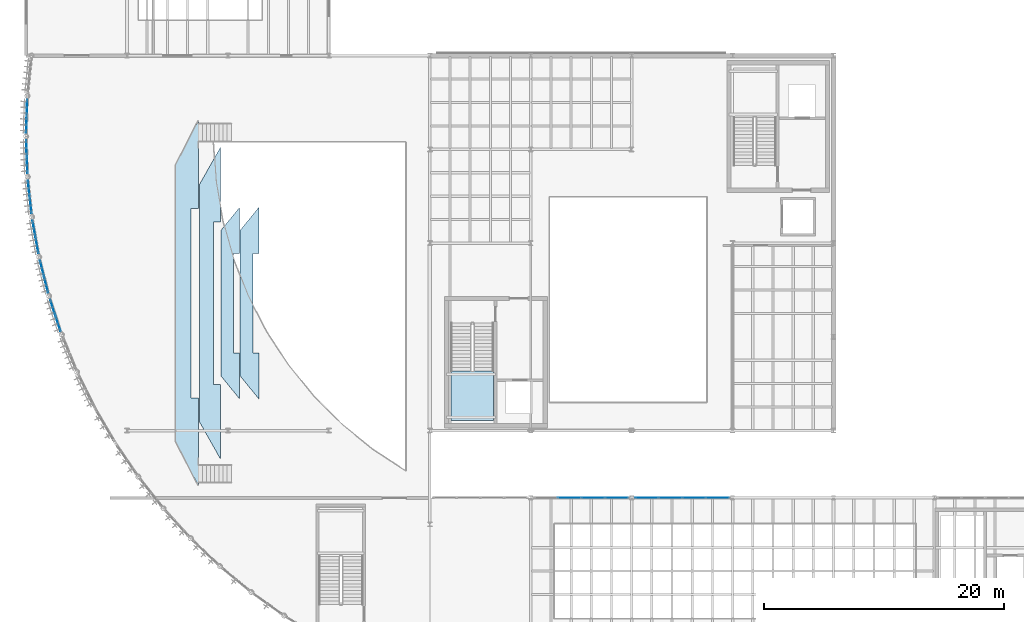
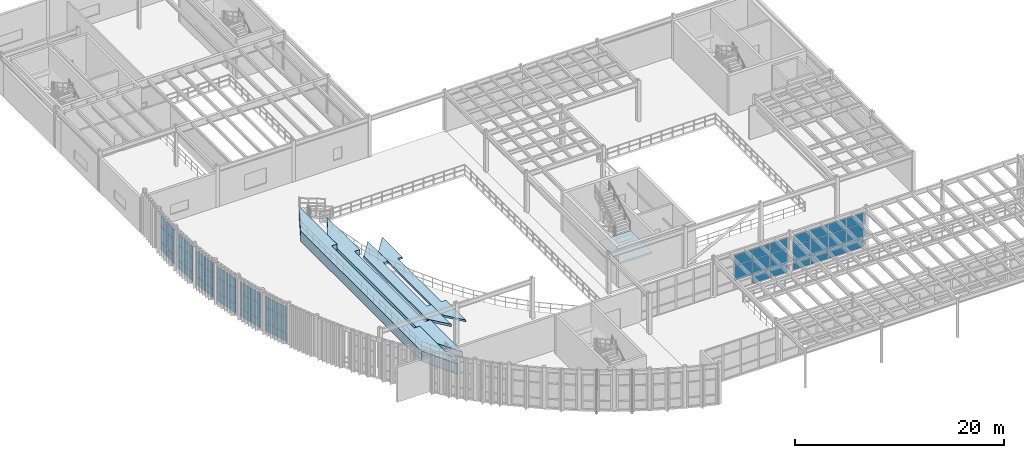
# One storey, part 74 of 105: 56 plates, 5 slabs, 9 elements without a shape of their own.
"""IFC4 building model written with IfcOpenShell, lengths in metres."""

from ifc_helpers import new_model, si_unit, direction, frame, origin, origin_2d, place, context, subcontext, project, spatial, polyline, rectangle, outline, extrude, material, layer, layer_set, type_object, element, aggregate, save


model = new_model("IFC4")

# Units and contexts
model_context = context("Model", 3, precision=1e-05, world=origin(), true_north=direction((0.0, 1.0)))
body_context = subcontext(model_context, "Body", "Model", "MODEL_VIEW")
ifc_project = project(units=[si_unit("LENGTHUNIT", "METRE"), si_unit("AREAUNIT", "SQUARE_METRE"), si_unit("VOLUMEUNIT", "CUBIC_METRE"), si_unit("PLANEANGLEUNIT", "RADIAN"), si_unit("MASSUNIT", "GRAM", prefix="KILO")], contexts=[model_context])

# Site, building, storey
site_placement = place(None, origin())
site = spatial("IfcSite", under=ifc_project, at=site_placement, CompositionType="ELEMENT")
building_placement = place(site_placement, origin())
building = spatial("IfcBuilding", under=site, at=building_placement, Name="Selat Folded Stagehouse", CompositionType="ELEMENT")
storey_placement = place(building_placement, frame((0.0, 0.0, 10.199951171875)))
storey = spatial("IfcBuildingStorey", under=building, at=storey_placement, Name="L02", CompositionType="ELEMENT", Elevation=10.199951171875)

# Curtain wall, plates
ifc_material_1 = material(Name="Aluminium 6063-T6", Category="aluminium")
ifc_layer_1 = layer(ifc_material_1, 0.195068359375)
ifc_layer_set_1 = layer_set([ifc_layer_1], Name="Aluminium 6063-T6")
curtain_wall_type_1 = type_object("IfcCurtainWallType", Name="CW-FYR-COURT", PredefinedType="NOTDEFINED", material=ifc_layer_set_1)
curtain_wall_1_placement = place(storey_placement, origin())
curtain_wall_1 = element("IfcCurtainWall", 1, at=curtain_wall_1_placement, inside=storey, type_object=curtain_wall_type_1, Name="L02 curtain wall CW-FYR-L02-08", PredefinedType="NOTDEFINED")
ifc_material_2 = material(Name="Clear laminated double glazing", Category="glass")
ifc_layer_2 = layer(ifc_material_2, 0.028076171875)
ifc_layer_set_2 = layer_set([ifc_layer_2], Name="Clear laminated double glazing")
plate_type_1 = type_object("IfcPlateType", Name="CWP-GLZ-DGU28", PredefinedType="CURTAIN_PANEL", material=ifc_layer_set_2)
plate_1_placement = place(storey_placement, frame((45.21240234375, 17.800048828125, 1.08251953125), z_axis=(0.0, 0.0, 1.0), x_axis=(1.0, 0.0, 0.0)))
plate_1 = element("IfcPlate", 2, at=plate_1_placement, type_object=plate_type_1, Name="CW-05 panel 2.2", PredefinedType="CURTAIN_PANEL", context=body_context, shape_type="SweptSolid", body=[
    extrude(rectangle(XDim=1.909912109375, YDim=0.028076171875, at=origin_2d()), origin(), (0.0, 0.0, 1.0), 1.735107421875),
])
plate_2_placement = place(storey_placement, frame((45.21240234375, 17.800048828125, 2.88232421875), z_axis=(0.0, 0.0, 1.0), x_axis=(1.0, 0.0, 0.0)))
plate_2 = element("IfcPlate", 3, at=plate_2_placement, type_object=plate_type_1, Name="CW-05 panel 2.3", PredefinedType="CURTAIN_PANEL", context=body_context, shape_type="SweptSolid", body=[
    extrude(rectangle(XDim=1.909912109375, YDim=0.028076171875, at=origin_2d()), origin(), (0.0, 0.0, 1.0), 1.172607421875),
])
plate_3_placement = place(storey_placement, frame((47.1875, 17.800048828125, 0.06494140625), z_axis=(0.0, 0.0, 1.0), x_axis=(1.0, 0.0, 0.0)))
plate_3 = element("IfcPlate", 4, at=plate_3_placement, type_object=plate_type_1, Name="CW-05 panel 3.1", PredefinedType="CURTAIN_PANEL", context=body_context, shape_type="SweptSolid", body=[
    extrude(rectangle(XDim=1.909912109375, YDim=0.028076171875, at=origin_2d()), origin(), (0.0, 0.0, 1.0), 0.952392578125),
])
plate_4_placement = place(storey_placement, frame((47.1875, 17.800048828125, 1.08251953125), z_axis=(0.0, 0.0, 1.0), x_axis=(1.0, 0.0, 0.0)))
plate_4 = element("IfcPlate", 5, at=plate_4_placement, type_object=plate_type_1, Name="CW-05 panel 3.2", PredefinedType="CURTAIN_PANEL", context=body_context, shape_type="SweptSolid", body=[
    extrude(rectangle(XDim=1.909912109375, YDim=0.028076171875, at=origin_2d()), origin(), (0.0, 0.0, 1.0), 1.735107421875),
])
plate_5_placement = place(storey_placement, frame((47.1875, 17.800048828125, 2.88232421875), z_axis=(0.0, 0.0, 1.0), x_axis=(1.0, 0.0, 0.0)))
plate_5 = element("IfcPlate", 6, at=plate_5_placement, type_object=plate_type_1, Name="CW-05 panel 3.3", PredefinedType="CURTAIN_PANEL", context=body_context, shape_type="SweptSolid", body=[
    extrude(rectangle(XDim=1.909912109375, YDim=0.028076171875, at=origin_2d()), origin(), (0.0, 0.0, 1.0), 1.172607421875),
])
plate_6_placement = place(storey_placement, frame((49.146240234375, 17.800048828125, 0.06494140625), z_axis=(0.0, 0.0, 1.0), x_axis=(1.0, 0.0, 0.0)))
plate_6 = element("IfcPlate", 7, at=plate_6_placement, type_object=plate_type_1, Name="CW-05 panel 4.1", PredefinedType="CURTAIN_PANEL", context=body_context, shape_type="SweptSolid", body=[
    extrude(rectangle(XDim=1.87744140625, YDim=0.028076171875, at=origin_2d()), origin(), (0.0, 0.0, 1.0), 0.952392578125),
])
plate_7_placement = place(storey_placement, frame((49.146240234375, 17.800048828125, 1.08251953125), z_axis=(0.0, 0.0, 1.0), x_axis=(1.0, 0.0, 0.0)))
plate_7 = element("IfcPlate", 8, at=plate_7_placement, type_object=plate_type_1, Name="CW-05 panel 4.2", PredefinedType="CURTAIN_PANEL", context=body_context, shape_type="SweptSolid", body=[
    extrude(rectangle(XDim=1.87744140625, YDim=0.028076171875, at=origin_2d()), origin(), (0.0, 0.0, 1.0), 1.735107421875),
])
plate_8_placement = place(storey_placement, frame((49.146240234375, 17.800048828125, 2.88232421875), z_axis=(0.0, 0.0, 1.0), x_axis=(1.0, 0.0, 0.0)))
plate_8 = element("IfcPlate", 9, at=plate_8_placement, type_object=plate_type_1, Name="CW-05 panel 4.3", PredefinedType="CURTAIN_PANEL", context=body_context, shape_type="SweptSolid", body=[
    extrude(rectangle(XDim=1.87744140625, YDim=0.028076171875, at=origin_2d()), origin(), (0.0, 0.0, 1.0), 1.172607421875),
])
aggregate(curtain_wall_1, [plate_1, plate_2, plate_3, plate_4, plate_5, plate_6, plate_7, plate_8])

curtain_wall_2_placement = place(storey_placement, origin())
curtain_wall_2 = element("IfcCurtainWall", 10, at=curtain_wall_2_placement, inside=storey, type_object=curtain_wall_type_1, Name="L02 curtain wall CW-FYR-L02-09", PredefinedType="NOTDEFINED")
plate_9_placement = place(storey_placement, frame((51.65380859375, 17.800048828125, 0.06494140625), z_axis=(0.0, 0.0, 1.0), x_axis=(1.0, 0.0, 0.0)))
plate_9 = element("IfcPlate", 11, at=plate_9_placement, type_object=plate_type_1, Name="CW-05 panel 1.1", PredefinedType="CURTAIN_PANEL", context=body_context, shape_type="SweptSolid", body=[
    extrude(rectangle(XDim=1.87744140625, YDim=0.028076171875, at=origin_2d()), origin(), (0.0, 0.0, 1.0), 0.952392578125),
])
plate_10_placement = place(storey_placement, frame((51.65380859375, 17.800048828125, 1.08251953125), z_axis=(0.0, 0.0, 1.0), x_axis=(1.0, 0.0, 0.0)))
plate_10 = element("IfcPlate", 12, at=plate_10_placement, type_object=plate_type_1, Name="CW-05 panel 1.2", PredefinedType="CURTAIN_PANEL", context=body_context, shape_type="SweptSolid", body=[
    extrude(rectangle(XDim=1.87744140625, YDim=0.028076171875, at=origin_2d()), origin(), (0.0, 0.0, 1.0), 1.735107421875),
])
plate_11_placement = place(storey_placement, frame((51.65380859375, 17.800048828125, 2.88232421875), z_axis=(0.0, 0.0, 1.0), x_axis=(1.0, 0.0, 0.0)))
plate_11 = element("IfcPlate", 13, at=plate_11_placement, type_object=plate_type_1, Name="CW-05 panel 1.3", PredefinedType="CURTAIN_PANEL", context=body_context, shape_type="SweptSolid", body=[
    extrude(rectangle(XDim=1.87744140625, YDim=0.028076171875, at=origin_2d()), origin(), (0.0, 0.0, 1.0), 1.172607421875),
])
plate_12_placement = place(storey_placement, frame((53.612548828125, 17.800048828125, 0.06494140625), z_axis=(0.0, 0.0, 1.0), x_axis=(1.0, 0.0, 0.0)))
plate_12 = element("IfcPlate", 14, at=plate_12_placement, type_object=plate_type_1, Name="CW-05 panel 2.1", PredefinedType="CURTAIN_PANEL", context=body_context, shape_type="SweptSolid", body=[
    extrude(rectangle(XDim=1.909912109375, YDim=0.028076171875, at=origin_2d()), origin(), (0.0, 0.0, 1.0), 0.952392578125),
])
plate_13_placement = place(storey_placement, frame((53.612548828125, 17.800048828125, 1.08251953125), z_axis=(0.0, 0.0, 1.0), x_axis=(1.0, 0.0, 0.0)))
plate_13 = element("IfcPlate", 15, at=plate_13_placement, type_object=plate_type_1, Name="CW-05 panel 2.2", PredefinedType="CURTAIN_PANEL", context=body_context, shape_type="SweptSolid", body=[
    extrude(rectangle(XDim=1.909912109375, YDim=0.028076171875, at=origin_2d()), origin(), (0.0, 0.0, 1.0), 1.735107421875),
])
plate_14_placement = place(storey_placement, frame((53.612548828125, 17.800048828125, 2.88232421875), z_axis=(0.0, 0.0, 1.0), x_axis=(1.0, 0.0, 0.0)))
plate_14 = element("IfcPlate", 16, at=plate_14_placement, type_object=plate_type_1, Name="CW-05 panel 2.3", PredefinedType="CURTAIN_PANEL", context=body_context, shape_type="SweptSolid", body=[
    extrude(rectangle(XDim=1.909912109375, YDim=0.028076171875, at=origin_2d()), origin(), (0.0, 0.0, 1.0), 1.172607421875),
])
plate_15_placement = place(storey_placement, frame((55.58740234375, 17.800048828125, 0.06494140625), z_axis=(0.0, 0.0, 1.0), x_axis=(1.0, 0.0, 0.0)))
plate_15 = element("IfcPlate", 17, at=plate_15_placement, type_object=plate_type_1, Name="CW-05 panel 3.1", PredefinedType="CURTAIN_PANEL", context=body_context, shape_type="SweptSolid", body=[
    extrude(rectangle(XDim=1.909912109375, YDim=0.028076171875, at=origin_2d()), origin(), (0.0, 0.0, 1.0), 0.952392578125),
])
plate_16_placement = place(storey_placement, frame((55.58740234375, 17.800048828125, 1.08251953125), z_axis=(0.0, 0.0, 1.0), x_axis=(1.0, 0.0, 0.0)))
plate_16 = element("IfcPlate", 18, at=plate_16_placement, type_object=plate_type_1, Name="CW-05 panel 3.2", PredefinedType="CURTAIN_PANEL", context=body_context, shape_type="SweptSolid", body=[
    extrude(rectangle(XDim=1.909912109375, YDim=0.028076171875, at=origin_2d()), origin(), (0.0, 0.0, 1.0), 1.735107421875),
])
plate_17_placement = place(storey_placement, frame((55.58740234375, 17.800048828125, 2.88232421875), z_axis=(0.0, 0.0, 1.0), x_axis=(1.0, 0.0, 0.0)))
plate_17 = element("IfcPlate", 19, at=plate_17_placement, type_object=plate_type_1, Name="CW-05 panel 3.3", PredefinedType="CURTAIN_PANEL", context=body_context, shape_type="SweptSolid", body=[
    extrude(rectangle(XDim=1.909912109375, YDim=0.028076171875, at=origin_2d()), origin(), (0.0, 0.0, 1.0), 1.172607421875),
])
plate_18_placement = place(storey_placement, frame((57.546142578125, 17.800048828125, 0.06494140625), z_axis=(0.0, 0.0, 1.0), x_axis=(1.0, 0.0, 0.0)))
plate_18 = element("IfcPlate", 20, at=plate_18_placement, type_object=plate_type_1, Name="CW-05 panel 4.1", PredefinedType="CURTAIN_PANEL", context=body_context, shape_type="SweptSolid", body=[
    extrude(rectangle(XDim=1.87744140625, YDim=0.028076171875, at=origin_2d()), origin(), (0.0, 0.0, 1.0), 0.952392578125),
])
plate_19_placement = place(storey_placement, frame((57.546142578125, 17.800048828125, 1.08251953125), z_axis=(0.0, 0.0, 1.0), x_axis=(1.0, 0.0, 0.0)))
plate_19 = element("IfcPlate", 21, at=plate_19_placement, type_object=plate_type_1, Name="CW-05 panel 4.2", PredefinedType="CURTAIN_PANEL", context=body_context, shape_type="SweptSolid", body=[
    extrude(rectangle(XDim=1.87744140625, YDim=0.028076171875, at=origin_2d()), origin(), (0.0, 0.0, 1.0), 1.735107421875),
])
plate_20_placement = place(storey_placement, frame((57.546142578125, 17.800048828125, 2.88232421875), z_axis=(0.0, 0.0, 1.0), x_axis=(1.0, 0.0, 0.0)))
plate_20 = element("IfcPlate", 22, at=plate_20_placement, type_object=plate_type_1, Name="CW-05 panel 4.3", PredefinedType="CURTAIN_PANEL", context=body_context, shape_type="SweptSolid", body=[
    extrude(rectangle(XDim=1.87744140625, YDim=0.028076171875, at=origin_2d()), origin(), (0.0, 0.0, 1.0), 1.172607421875),
])
aggregate(curtain_wall_2, [plate_9, plate_10, plate_11, plate_12, plate_13, plate_14, plate_15, plate_16, plate_17, plate_18, plate_19, plate_20])

ifc_layer_3 = layer(ifc_material_1, 0.199951171875)
ifc_layer_set_3 = layer_set([ifc_layer_3], Name="Aluminium 6063-T6")
curtain_wall_type_2 = type_object("IfcCurtainWallType", Name="CW-DRM-MID", PredefinedType="NOTDEFINED", material=ifc_layer_set_3)
curtain_wall_3_placement = place(storey_placement, origin())
curtain_wall_3 = element("IfcCurtainWall", 23, at=curtain_wall_3_placement, inside=storey, type_object=curtain_wall_type_2, Name="L02 curtain wall CW-DRM-L02-01", PredefinedType="NOTDEFINED")
ifc_material_3 = material(Name="Laminated low-E double glazing", Category="glass")
ifc_layer_4 = layer(ifc_material_3, 0.031982421875)
ifc_layer_set_4 = layer_set([ifc_layer_4], Name="Laminated low-E double glazing")
plate_type_2 = type_object("IfcPlateType", Name="CWP-GLZ-DGU32", PredefinedType="CURTAIN_PANEL", material=ifc_layer_set_4)
plate_21_placement = place(storey_placement, frame((0.0322265625, 48.864501953125, 0.06494140625), z_axis=(0.0, 0.0, 1.0), x_axis=(0.032625434862, 0.999467648801, 0.0)))
plate_21 = element("IfcPlate", 24, at=plate_21_placement, type_object=plate_type_2, Name="CW-02 panel 1.1", PredefinedType="CURTAIN_PANEL", context=body_context, shape_type="SweptSolid", body=[
    extrude(rectangle(XDim=1.3369140625, YDim=0.031982421875, at=origin_2d()), origin(), (0.0, 0.0, 1.0), 0.952392578125),
])
plate_22_placement = place(storey_placement, frame((0.0322265625, 48.864501953125, 1.08251953125), z_axis=(0.0, 0.0, 1.0), x_axis=(0.032625434862, 0.999467648801, 0.0)))
plate_22 = element("IfcPlate", 25, at=plate_22_placement, type_object=plate_type_2, Name="CW-02 panel 1.2", PredefinedType="CURTAIN_PANEL", context=body_context, shape_type="SweptSolid", body=[
    extrude(rectangle(XDim=1.3369140625, YDim=0.031982421875, at=origin_2d()), origin(), (0.0, 0.0, 1.0), 1.735107421875),
])
plate_23_placement = place(storey_placement, frame((0.0322265625, 48.864501953125, 2.882568359375), z_axis=(0.0, 0.0, 1.0), x_axis=(0.032625434862, 0.999467648801, 0.0)))
plate_23 = element("IfcPlate", 26, at=plate_23_placement, type_object=plate_type_2, Name="CW-02 panel 1.3", PredefinedType="CURTAIN_PANEL", context=body_context, shape_type="SweptSolid", body=[
    extrude(rectangle(XDim=1.3369140625, YDim=0.031982421875, at=origin_2d()), origin(), (0.0, 0.0, 1.0), 1.21240234375),
])
plate_24_placement = place(storey_placement, frame((0.077880859375, 50.265869140625, 0.06494140625), z_axis=(0.0, 0.0, 1.0), x_axis=(0.032625434862, 0.999467648801, 0.0)))
plate_24 = element("IfcPlate", 27, at=plate_24_placement, type_object=plate_type_2, Name="CW-02 panel 2.1", PredefinedType="CURTAIN_PANEL", context=body_context, shape_type="SweptSolid", body=[
    extrude(rectangle(XDim=1.3369140625, YDim=0.031982421875, at=origin_2d()), origin(), (0.0, 0.0, 1.0), 0.952392578125),
])
plate_25_placement = place(storey_placement, frame((0.077880859375, 50.265869140625, 1.08251953125), z_axis=(0.0, 0.0, 1.0), x_axis=(0.032625434862, 0.999467648801, 0.0)))
plate_25 = element("IfcPlate", 28, at=plate_25_placement, type_object=plate_type_2, Name="CW-02 panel 2.2", PredefinedType="CURTAIN_PANEL", context=body_context, shape_type="SweptSolid", body=[
    extrude(rectangle(XDim=1.3369140625, YDim=0.031982421875, at=origin_2d()), origin(), (0.0, 0.0, 1.0), 1.735107421875),
])
plate_26_placement = place(storey_placement, frame((0.077880859375, 50.265869140625, 2.882568359375), z_axis=(0.0, 0.0, 1.0), x_axis=(0.032625434862, 0.999467648801, 0.0)))
plate_26 = element("IfcPlate", 29, at=plate_26_placement, type_object=plate_type_2, Name="CW-02 panel 2.3", PredefinedType="CURTAIN_PANEL", context=body_context, shape_type="SweptSolid", body=[
    extrude(rectangle(XDim=1.3369140625, YDim=0.031982421875, at=origin_2d()), origin(), (0.0, 0.0, 1.0), 1.21240234375),
])
aggregate(curtain_wall_3, [plate_21, plate_22, plate_23, plate_24, plate_25, plate_26])

curtain_wall_4_placement = place(storey_placement, origin())
curtain_wall_4 = element("IfcCurtainWall", 30, at=curtain_wall_4_placement, inside=storey, type_object=curtain_wall_type_2, Name="L02 curtain wall CW-DRM-L02-02", PredefinedType="NOTDEFINED")
plate_27_placement = place(storey_placement, frame((0.08984375, 45.497802734375, 0.06494140625), z_axis=(0.0, 0.0, 1.0), x_axis=(-0.037573727908, 0.999293858167, 0.0)))
plate_27 = element("IfcPlate", 31, at=plate_27_placement, type_object=plate_type_2, Name="CW-02 panel 1.1", PredefinedType="CURTAIN_PANEL", context=body_context, shape_type="SweptSolid", body=[
    extrude(rectangle(XDim=1.3369140625, YDim=0.031982421875, at=origin_2d()), origin(), (0.0, 0.0, 1.0), 0.952392578125),
])
plate_28_placement = place(storey_placement, frame((0.08984375, 45.497802734375, 1.08251953125), z_axis=(0.0, 0.0, 1.0), x_axis=(-0.037573727908, 0.999293858167, 0.0)))
plate_28 = element("IfcPlate", 32, at=plate_28_placement, type_object=plate_type_2, Name="CW-02 panel 1.2", PredefinedType="CURTAIN_PANEL", context=body_context, shape_type="SweptSolid", body=[
    extrude(rectangle(XDim=1.3369140625, YDim=0.031982421875, at=origin_2d()), origin(), (0.0, 0.0, 1.0), 1.735107421875),
])
plate_29_placement = place(storey_placement, frame((0.08984375, 45.497802734375, 2.882568359375), z_axis=(0.0, 0.0, 1.0), x_axis=(-0.037573727908, 0.999293858167, 0.0)))
plate_29 = element("IfcPlate", 33, at=plate_29_placement, type_object=plate_type_2, Name="CW-02 panel 1.3", PredefinedType="CURTAIN_PANEL", context=body_context, shape_type="SweptSolid", body=[
    extrude(rectangle(XDim=1.3369140625, YDim=0.031982421875, at=origin_2d()), origin(), (0.0, 0.0, 1.0), 1.21240234375),
])
plate_30_placement = place(storey_placement, frame((0.037109375, 46.89892578125, 0.06494140625), z_axis=(0.0, 0.0, 1.0), x_axis=(-0.037573727908, 0.999293858167, 0.0)))
plate_30 = element("IfcPlate", 34, at=plate_30_placement, type_object=plate_type_2, Name="CW-02 panel 2.1", PredefinedType="CURTAIN_PANEL", context=body_context, shape_type="SweptSolid", body=[
    extrude(rectangle(XDim=1.3369140625, YDim=0.031982421875, at=origin_2d()), origin(), (0.0, 0.0, 1.0), 0.952392578125),
])
plate_31_placement = place(storey_placement, frame((0.037109375, 46.89892578125, 1.08251953125), z_axis=(0.0, 0.0, 1.0), x_axis=(-0.037573727908, 0.999293858167, 0.0)))
plate_31 = element("IfcPlate", 35, at=plate_31_placement, type_object=plate_type_2, Name="CW-02 panel 2.2", PredefinedType="CURTAIN_PANEL", context=body_context, shape_type="SweptSolid", body=[
    extrude(rectangle(XDim=1.3369140625, YDim=0.031982421875, at=origin_2d()), origin(), (0.0, 0.0, 1.0), 1.735107421875),
])
plate_32_placement = place(storey_placement, frame((0.037109375, 46.89892578125, 2.882568359375), z_axis=(0.0, 0.0, 1.0), x_axis=(-0.037573727908, 0.999293858167, 0.0)))
plate_32 = element("IfcPlate", 36, at=plate_32_placement, type_object=plate_type_2, Name="CW-02 panel 2.3", PredefinedType="CURTAIN_PANEL", context=body_context, shape_type="SweptSolid", body=[
    extrude(rectangle(XDim=1.3369140625, YDim=0.031982421875, at=origin_2d()), origin(), (0.0, 0.0, 1.0), 1.21240234375),
])
aggregate(curtain_wall_4, [plate_27, plate_28, plate_29, plate_30, plate_31, plate_32])

curtain_wall_5_placement = place(storey_placement, origin())
curtain_wall_5 = element("IfcCurtainWall", 37, at=curtain_wall_5_placement, inside=storey, type_object=curtain_wall_type_2, Name="L02 curtain wall CW-DRM-L02-03", PredefinedType="NOTDEFINED")
plate_33_placement = place(storey_placement, frame((0.38330078125, 42.143310546875, 0.06494140625), z_axis=(0.0, 0.0, 1.0), x_axis=(-0.107558193428, 0.994198790497, 0.0)))
plate_33 = element("IfcPlate", 38, at=plate_33_placement, type_object=plate_type_2, Name="CW-02 panel 1.1", PredefinedType="CURTAIN_PANEL", context=body_context, shape_type="SweptSolid", body=[
    extrude(rectangle(XDim=1.337158203125, YDim=0.031982421875, at=origin_2d()), origin(), (0.0, 0.0, 1.0), 0.952392578125),
])
plate_34_placement = place(storey_placement, frame((0.38330078125, 42.143310546875, 1.08251953125), z_axis=(0.0, 0.0, 1.0), x_axis=(-0.107558193428, 0.994198790497, 0.0)))
plate_34 = element("IfcPlate", 39, at=plate_34_placement, type_object=plate_type_2, Name="CW-02 panel 1.2", PredefinedType="CURTAIN_PANEL", context=body_context, shape_type="SweptSolid", body=[
    extrude(rectangle(XDim=1.337158203125, YDim=0.031982421875, at=origin_2d()), origin(), (0.0, 0.0, 1.0), 1.735107421875),
])
plate_35_placement = place(storey_placement, frame((0.38330078125, 42.143310546875, 2.882568359375), z_axis=(0.0, 0.0, 1.0), x_axis=(-0.107558193428, 0.994198790497, 0.0)))
plate_35 = element("IfcPlate", 40, at=plate_35_placement, type_object=plate_type_2, Name="CW-02 panel 1.3", PredefinedType="CURTAIN_PANEL", context=body_context, shape_type="SweptSolid", body=[
    extrude(rectangle(XDim=1.337158203125, YDim=0.031982421875, at=origin_2d()), origin(), (0.0, 0.0, 1.0), 1.21240234375),
])
plate_36_placement = place(storey_placement, frame((0.232421875, 43.537109375, 0.06494140625), z_axis=(0.0, 0.0, 1.0), x_axis=(-0.107558193428, 0.994198790497, 0.0)))
plate_36 = element("IfcPlate", 41, at=plate_36_placement, type_object=plate_type_2, Name="CW-02 panel 2.1", PredefinedType="CURTAIN_PANEL", context=body_context, shape_type="SweptSolid", body=[
    extrude(rectangle(XDim=1.337158203125, YDim=0.031982421875, at=origin_2d()), origin(), (0.0, 0.0, 1.0), 0.952392578125),
])
plate_37_placement = place(storey_placement, frame((0.232421875, 43.537109375, 1.08251953125), z_axis=(0.0, 0.0, 1.0), x_axis=(-0.107558193428, 0.994198790497, 0.0)))
plate_37 = element("IfcPlate", 42, at=plate_37_placement, type_object=plate_type_2, Name="CW-02 panel 2.2", PredefinedType="CURTAIN_PANEL", context=body_context, shape_type="SweptSolid", body=[
    extrude(rectangle(XDim=1.337158203125, YDim=0.031982421875, at=origin_2d()), origin(), (0.0, 0.0, 1.0), 1.735107421875),
])
plate_38_placement = place(storey_placement, frame((0.232421875, 43.537109375, 2.882568359375), z_axis=(0.0, 0.0, 1.0), x_axis=(-0.107558193428, 0.994198790497, 0.0)))
plate_38 = element("IfcPlate", 43, at=plate_38_placement, type_object=plate_type_2, Name="CW-02 panel 2.3", PredefinedType="CURTAIN_PANEL", context=body_context, shape_type="SweptSolid", body=[
    extrude(rectangle(XDim=1.337158203125, YDim=0.031982421875, at=origin_2d()), origin(), (0.0, 0.0, 1.0), 1.21240234375),
])
aggregate(curtain_wall_5, [plate_33, plate_34, plate_35, plate_36, plate_37, plate_38])

curtain_wall_6_placement = place(storey_placement, origin())
curtain_wall_6 = element("IfcCurtainWall", 44, at=curtain_wall_6_placement, inside=storey, type_object=curtain_wall_type_2, Name="L02 curtain wall CW-DRM-L02-04", PredefinedType="NOTDEFINED")
plate_39_placement = place(storey_placement, frame((0.911376953125, 38.817626953125, 0.06494140625), z_axis=(0.0, 0.0, 1.0), x_axis=(-0.177001739435, 0.984210538572, 0.0)))
plate_39 = element("IfcPlate", 45, at=plate_39_placement, type_object=plate_type_2, Name="CW-02 panel 1.1", PredefinedType="CURTAIN_PANEL", context=body_context, shape_type="SweptSolid", body=[
    extrude(rectangle(XDim=1.3369140625, YDim=0.031982421875, at=origin_2d()), origin(), (0.0, 0.0, 1.0), 0.952392578125),
])
plate_40_placement = place(storey_placement, frame((0.911376953125, 38.817626953125, 1.08251953125), z_axis=(0.0, 0.0, 1.0), x_axis=(-0.177001739435, 0.984210538572, 0.0)))
plate_40 = element("IfcPlate", 46, at=plate_40_placement, type_object=plate_type_2, Name="CW-02 panel 1.2", PredefinedType="CURTAIN_PANEL", context=body_context, shape_type="SweptSolid", body=[
    extrude(rectangle(XDim=1.3369140625, YDim=0.031982421875, at=origin_2d()), origin(), (0.0, 0.0, 1.0), 1.735107421875),
])
plate_41_placement = place(storey_placement, frame((0.911376953125, 38.817626953125, 2.882568359375), z_axis=(0.0, 0.0, 1.0), x_axis=(-0.177001739435, 0.984210538572, 0.0)))
plate_41 = element("IfcPlate", 47, at=plate_41_placement, type_object=plate_type_2, Name="CW-02 panel 1.3", PredefinedType="CURTAIN_PANEL", context=body_context, shape_type="SweptSolid", body=[
    extrude(rectangle(XDim=1.3369140625, YDim=0.031982421875, at=origin_2d()), origin(), (0.0, 0.0, 1.0), 1.21240234375),
])
plate_42_placement = place(storey_placement, frame((0.663330078125, 40.197509765625, 0.06494140625), z_axis=(0.0, 0.0, 1.0), x_axis=(-0.177001739435, 0.984210538572, 0.0)))
plate_42 = element("IfcPlate", 48, at=plate_42_placement, type_object=plate_type_2, Name="CW-02 panel 2.1", PredefinedType="CURTAIN_PANEL", context=body_context, shape_type="SweptSolid", body=[
    extrude(rectangle(XDim=1.3369140625, YDim=0.031982421875, at=origin_2d()), origin(), (0.0, 0.0, 1.0), 0.952392578125),
])
plate_43_placement = place(storey_placement, frame((0.663330078125, 40.197509765625, 1.08251953125), z_axis=(0.0, 0.0, 1.0), x_axis=(-0.177001739435, 0.984210538572, 0.0)))
plate_43 = element("IfcPlate", 49, at=plate_43_placement, type_object=plate_type_2, Name="CW-02 panel 2.2", PredefinedType="CURTAIN_PANEL", context=body_context, shape_type="SweptSolid", body=[
    extrude(rectangle(XDim=1.3369140625, YDim=0.031982421875, at=origin_2d()), origin(), (0.0, 0.0, 1.0), 1.735107421875),
])
plate_44_placement = place(storey_placement, frame((0.663330078125, 40.197509765625, 2.882568359375), z_axis=(0.0, 0.0, 1.0), x_axis=(-0.177001739435, 0.984210538572, 0.0)))
plate_44 = element("IfcPlate", 50, at=plate_44_placement, type_object=plate_type_2, Name="CW-02 panel 2.3", PredefinedType="CURTAIN_PANEL", context=body_context, shape_type="SweptSolid", body=[
    extrude(rectangle(XDim=1.3369140625, YDim=0.031982421875, at=origin_2d()), origin(), (0.0, 0.0, 1.0), 1.21240234375),
])
aggregate(curtain_wall_6, [plate_39, plate_40, plate_41, plate_42, plate_43, plate_44])

curtain_wall_7_placement = place(storey_placement, origin())
curtain_wall_7 = element("IfcCurtainWall", 51, at=curtain_wall_7_placement, inside=storey, type_object=curtain_wall_type_2, Name="L02 curtain wall CW-DRM-L02-05", PredefinedType="NOTDEFINED")
plate_45_placement = place(storey_placement, frame((1.67138671875, 35.537353515625, 0.06494140625), z_axis=(0.0, 0.0, 1.0), x_axis=(-0.24561797686, 0.969366705351, 0.0)))
plate_45 = element("IfcPlate", 52, at=plate_45_placement, type_object=plate_type_2, Name="CW-02 panel 1.1", PredefinedType="CURTAIN_PANEL", context=body_context, shape_type="SweptSolid", body=[
    extrude(rectangle(XDim=1.337158203125, YDim=0.031982421875, at=origin_2d()), origin(), (0.0, 0.0, 1.0), 0.952392578125),
])
plate_46_placement = place(storey_placement, frame((1.67138671875, 35.537353515625, 1.08251953125), z_axis=(0.0, 0.0, 1.0), x_axis=(-0.24561797686, 0.969366705351, 0.0)))
plate_46 = element("IfcPlate", 53, at=plate_46_placement, type_object=plate_type_2, Name="CW-02 panel 1.2", PredefinedType="CURTAIN_PANEL", context=body_context, shape_type="SweptSolid", body=[
    extrude(rectangle(XDim=1.337158203125, YDim=0.031982421875, at=origin_2d()), origin(), (0.0, 0.0, 1.0), 1.735107421875),
])
plate_47_placement = place(storey_placement, frame((1.67138671875, 35.537353515625, 2.882568359375), z_axis=(0.0, 0.0, 1.0), x_axis=(-0.24561797686, 0.969366705351, 0.0)))
plate_47 = element("IfcPlate", 54, at=plate_47_placement, type_object=plate_type_2, Name="CW-02 panel 1.3", PredefinedType="CURTAIN_PANEL", context=body_context, shape_type="SweptSolid", body=[
    extrude(rectangle(XDim=1.337158203125, YDim=0.031982421875, at=origin_2d()), origin(), (0.0, 0.0, 1.0), 1.21240234375),
])
plate_48_placement = place(storey_placement, frame((1.3271484375, 36.896240234375, 0.06494140625), z_axis=(0.0, 0.0, 1.0), x_axis=(-0.24561797686, 0.969366705351, 0.0)))
plate_48 = element("IfcPlate", 55, at=plate_48_placement, type_object=plate_type_2, Name="CW-02 panel 2.1", PredefinedType="CURTAIN_PANEL", context=body_context, shape_type="SweptSolid", body=[
    extrude(rectangle(XDim=1.337158203125, YDim=0.031982421875, at=origin_2d()), origin(), (0.0, 0.0, 1.0), 0.952392578125),
])
plate_49_placement = place(storey_placement, frame((1.3271484375, 36.896240234375, 1.08251953125), z_axis=(0.0, 0.0, 1.0), x_axis=(-0.24561797686, 0.969366705351, 0.0)))
plate_49 = element("IfcPlate", 56, at=plate_49_placement, type_object=plate_type_2, Name="CW-02 panel 2.2", PredefinedType="CURTAIN_PANEL", context=body_context, shape_type="SweptSolid", body=[
    extrude(rectangle(XDim=1.337158203125, YDim=0.031982421875, at=origin_2d()), origin(), (0.0, 0.0, 1.0), 1.735107421875),
])
plate_50_placement = place(storey_placement, frame((1.3271484375, 36.896240234375, 2.882568359375), z_axis=(0.0, 0.0, 1.0), x_axis=(-0.24561797686, 0.969366705351, 0.0)))
plate_50 = element("IfcPlate", 57, at=plate_50_placement, type_object=plate_type_2, Name="CW-02 panel 2.3", PredefinedType="CURTAIN_PANEL", context=body_context, shape_type="SweptSolid", body=[
    extrude(rectangle(XDim=1.337158203125, YDim=0.031982421875, at=origin_2d()), origin(), (0.0, 0.0, 1.0), 1.21240234375),
])
aggregate(curtain_wall_7, [plate_45, plate_46, plate_47, plate_48, plate_49, plate_50])

curtain_wall_8_placement = place(storey_placement, origin())
curtain_wall_8 = element("IfcCurtainWall", 58, at=curtain_wall_8_placement, inside=storey, type_object=curtain_wall_type_2, Name="L02 curtain wall CW-DRM-L02-06", PredefinedType="NOTDEFINED")
plate_51_placement = place(storey_placement, frame((2.65966796875, 32.318359375, 0.06494140625), z_axis=(0.0, 0.0, 1.0), x_axis=(-0.312994904395, 0.949754805107, 0.0)))
plate_51 = element("IfcPlate", 59, at=plate_51_placement, type_object=plate_type_2, Name="CW-02 panel 1.1", PredefinedType="CURTAIN_PANEL", context=body_context, shape_type="SweptSolid", body=[
    extrude(rectangle(XDim=1.3369140625, YDim=0.031982421875, at=origin_2d()), origin(), (0.0, 0.0, 1.0), 0.952392578125),
])
plate_52_placement = place(storey_placement, frame((2.65966796875, 32.318359375, 1.08251953125), z_axis=(0.0, 0.0, 1.0), x_axis=(-0.312994904395, 0.949754805107, 0.0)))
plate_52 = element("IfcPlate", 60, at=plate_52_placement, type_object=plate_type_2, Name="CW-02 panel 1.2", PredefinedType="CURTAIN_PANEL", context=body_context, shape_type="SweptSolid", body=[
    extrude(rectangle(XDim=1.3369140625, YDim=0.031982421875, at=origin_2d()), origin(), (0.0, 0.0, 1.0), 1.735107421875),
])
plate_53_placement = place(storey_placement, frame((2.65966796875, 32.318359375, 2.882568359375), z_axis=(0.0, 0.0, 1.0), x_axis=(-0.312994904395, 0.949754805107, 0.0)))
plate_53 = element("IfcPlate", 61, at=plate_53_placement, type_object=plate_type_2, Name="CW-02 panel 1.3", PredefinedType="CURTAIN_PANEL", context=body_context, shape_type="SweptSolid", body=[
    extrude(rectangle(XDim=1.3369140625, YDim=0.031982421875, at=origin_2d()), origin(), (0.0, 0.0, 1.0), 1.21240234375),
])
plate_54_placement = place(storey_placement, frame((2.220947265625, 33.64990234375, 0.06494140625), z_axis=(0.0, 0.0, 1.0), x_axis=(-0.312994904395, 0.949754805107, 0.0)))
plate_54 = element("IfcPlate", 62, at=plate_54_placement, type_object=plate_type_2, Name="CW-02 panel 2.1", PredefinedType="CURTAIN_PANEL", context=body_context, shape_type="SweptSolid", body=[
    extrude(rectangle(XDim=1.3369140625, YDim=0.031982421875, at=origin_2d()), origin(), (0.0, 0.0, 1.0), 0.952392578125),
])
plate_55_placement = place(storey_placement, frame((2.220947265625, 33.64990234375, 1.08251953125), z_axis=(0.0, 0.0, 1.0), x_axis=(-0.312994904395, 0.949754805107, 0.0)))
plate_55 = element("IfcPlate", 63, at=plate_55_placement, type_object=plate_type_2, Name="CW-02 panel 2.2", PredefinedType="CURTAIN_PANEL", context=body_context, shape_type="SweptSolid", body=[
    extrude(rectangle(XDim=1.3369140625, YDim=0.031982421875, at=origin_2d()), origin(), (0.0, 0.0, 1.0), 1.735107421875),
])
plate_56_placement = place(storey_placement, frame((2.220947265625, 33.64990234375, 2.882568359375), z_axis=(0.0, 0.0, 1.0), x_axis=(-0.312994904395, 0.949754805107, 0.0)))
plate_56 = element("IfcPlate", 64, at=plate_56_placement, type_object=plate_type_2, Name="CW-02 panel 2.3", PredefinedType="CURTAIN_PANEL", context=body_context, shape_type="SweptSolid", body=[
    extrude(rectangle(XDim=1.3369140625, YDim=0.031982421875, at=origin_2d()), origin(), (0.0, 0.0, 1.0), 1.21240234375),
])
aggregate(curtain_wall_8, [plate_51, plate_52, plate_53, plate_54, plate_55, plate_56])

# Stair, slab
ifc_material_4 = material(Name="Concrete C40/50", Category="concrete")
stair_type = type_object("IfcStairType", Name="STR-DOG-1700-30R", PredefinedType="HALF_TURN_STAIR", material=ifc_material_4)
stair_placement = place(storey_placement, origin())
stair = element("IfcStair", 65, at=stair_placement, inside=storey, type_object=stair_type, Name="L02 Core 1 South-West Fire Core", PredefinedType="HALF_TURN_STAIR")
ifc_layer_5 = layer(ifc_material_4, 0.199951171875)
ifc_layer_set_5 = layer_set([ifc_layer_5], Name="Concrete C40/50")
slab_type_1 = type_object("IfcSlabType", Name="SLAB-STR-LDG-200", PredefinedType="LANDING", material=ifc_layer_set_5)
slab_1_placement = place(storey_placement, frame((0.0, 0.0, 2.199951171875)))
slab_1 = element("IfcSlab", 66, at=slab_1_placement, type_object=slab_type_1, Name="ST-1700-30R landing 1", PredefinedType="LANDING", context=body_context, shape_type="SweptSolid", body=[
    extrude(outline(polyline([(35.360107421875, 28.35009765625), (35.360107421875, 24.239990234375), (38.919921875, 24.239990234375), (38.919921875, 28.35009765625), (35.360107421875, 28.35009765625)])), origin(), (0.0, 0.0, 1.0), 0.2001953125),
])
aggregate(stair, [slab_1])

# Slabs
ifc_layer_6 = layer(ifc_material_4, 0.215087890625)
ifc_layer_set_6 = layer_set([ifc_layer_6], Name="Concrete C40/50")
slab_type_2 = type_object("IfcSlabType", Name="SLAB-TIER-T215", PredefinedType="USERDEFINED", material=ifc_layer_set_6)
slab_2_placement = place(storey_placement, origin())
element("IfcSlab", 67, at=slab_2_placement, inside=storey, type_object=slab_type_2, Name="L02 auditorium seating tier TIER-MT-U1", ObjectType="SEATING TIER", PredefinedType="USERDEFINED", context=body_context, shape_type="SweptSolid", body=[
    extrude(outline(polyline([(17.820068359375, 27.935302734375), (19.3798828125, 26.02001953125), (19.3798828125, 29.850341796875), (18.880859375, 29.850341796875), (18.880859375, 38.149658203125), (19.3798828125, 38.149658203125), (19.3798828125, 41.97998046875), (17.820068359375, 40.064697265625), (17.820068359375, 27.935302734375)])), origin(), (0.0, 0.0, 1.0), 0.215087890625),
])
ifc_layer_7 = layer(ifc_material_4, 0.27490234375)
ifc_layer_set_7 = layer_set([ifc_layer_7], Name="Concrete C40/50")
slab_type_3 = type_object("IfcSlabType", Name="SLAB-TIER-T275", PredefinedType="USERDEFINED", material=ifc_layer_set_7)
slab_3_placement = place(storey_placement, origin())
element("IfcSlab", 68, at=slab_3_placement, inside=storey, type_object=slab_type_3, Name="L02 auditorium seating tier TIER-MT-U2", ObjectType="SEATING TIER", PredefinedType="USERDEFINED", context=body_context, shape_type="SweptSolid", body=[
    extrude(outline(polyline([(16.219970703125, 27.935302734375), (17.780029296875, 26.02001953125), (17.780029296875, 29.850341796875), (17.28076171875, 29.850341796875), (17.28076171875, 38.149658203125), (17.780029296875, 38.149658203125), (17.780029296875, 41.97998046875), (16.219970703125, 40.064697265625), (16.219970703125, 27.935302734375)])), origin(), (0.0, 0.0, 1.0), 0.275146484375),
])
ifc_layer_8 = layer(ifc_material_4, 0.6201171875)
ifc_layer_set_8 = layer_set([ifc_layer_8], Name="Concrete C40/50")
slab_type_4 = type_object("IfcSlabType", Name="SLAB-TIER-T340", PredefinedType="USERDEFINED", material=ifc_layer_set_8)
slab_4_placement = place(storey_placement, origin())
element("IfcSlab", 69, at=slab_4_placement, inside=storey, type_object=slab_type_4, Name="L02 auditorium seating tier TIER-MT-U3", ObjectType="SEATING TIER", PredefinedType="USERDEFINED", context=body_context, shape_type="SweptSolid", body=[
    extrude(outline(polyline([(14.419921875, 24.13525390625), (16.179931640625, 21.02001953125), (16.179931640625, 27.25048828125), (15.61669921875, 27.25048828125), (15.61669921875, 40.74951171875), (16.179931640625, 40.74951171875), (16.179931640625, 46.97998046875), (14.419921875, 43.86474609375), (14.419921875, 24.13525390625)])), origin(), (0.0, 0.0, 1.0), 0.6201171875),
])
ifc_layer_9 = layer(ifc_material_4, 1.215087890625)
ifc_layer_set_9 = layer_set([ifc_layer_9], Name="Concrete C40/50")
slab_type_5 = type_object("IfcSlabType", Name="SLAB-TIER-T780", PredefinedType="USERDEFINED", material=ifc_layer_set_9)
slab_5_placement = place(storey_placement, origin())
element("IfcSlab", 70, at=slab_5_placement, inside=storey, type_object=slab_type_5, Name="L02 auditorium seating tier TIER-MT-U4", ObjectType="SEATING TIER", PredefinedType="USERDEFINED", context=body_context, shape_type="SweptSolid", body=[
    extrude(outline(polyline([(12.419921875, 22.463134765625), (14.340087890625, 18.820068359375), (14.340087890625, 26.1064453125), (13.7255859375, 26.1064453125), (13.7255859375, 41.8935546875), (14.340087890625, 41.8935546875), (14.340087890625, 49.179931640625), (12.419921875, 45.536865234375), (12.419921875, 22.463134765625)])), origin(), (0.0, 0.0, 1.0), 1.215087890625),
])

save(model, "model.ifc")
